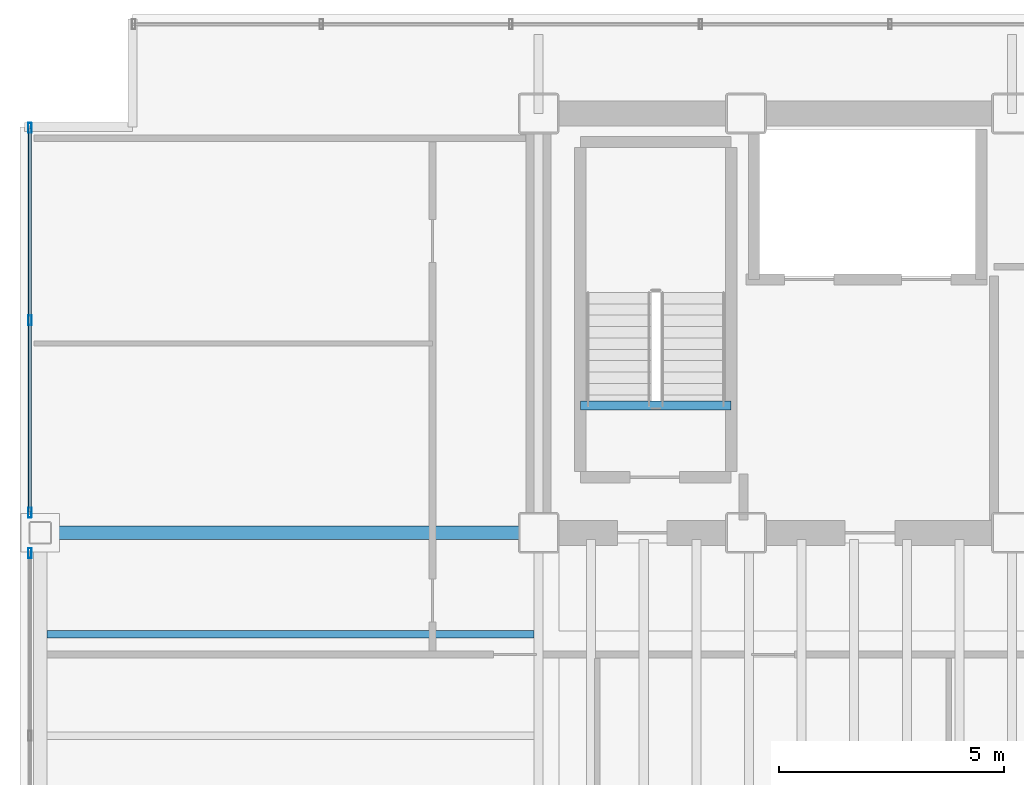
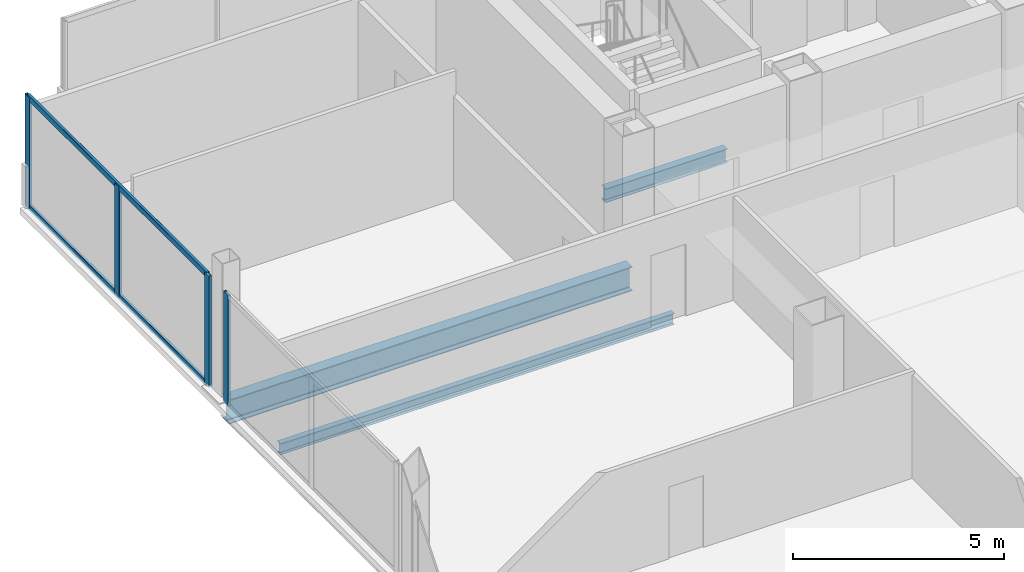
# One storey, part 7 of 20: 6 members, 3 beams, 2 elements without a shape of their own.
"""IFC4 building model written with IfcOpenShell, lengths in metres."""

import ifcopenshell
import ifcopenshell.guid

model = None  # the IFC model being written
_history = None  # IfcOwnerHistory: only IFC2X3 demands one
_inside = {}  # id of a spatial element -> (the spatial element, [elements in it])
_under = {}  # id of a project, library or spatial element -> (it, [spatial elements below it])
_declared = {}  # id of a project -> (the project, [libraries it declares])
_typed = {}  # id of a type object -> (the type object, [elements of that type])
_made_of = {}  # id of a material, layer set ... -> (it, [elements and type objects made of it])


def new_model(schema):
    """Start an empty IFC model of exactly this schema.

    Asked for "IFC4X3", IfcOpenShell would pick the latest addendum, in which some entities
    have other attributes; the version numbers below select the first issue.
    IFC2X3 requires an IfcOwnerHistory on every rooted entity: one is made here for all.
    """
    global model, _history
    if schema == "IFC4X3":
        model = ifcopenshell.file(schema_version=(4, 3, 0, 0))
    else:
        model = ifcopenshell.file(schema=schema)
    _inside.clear()
    _under.clear()
    _declared.clear()
    _typed.clear()
    _made_of.clear()
    _history = None
    if model.schema == "IFC2X3":
        org = make("IfcOrganization", Name="unknown")
        user = make(
            "IfcPersonAndOrganization",
            ThePerson=make("IfcPerson", FamilyName="unknown"),
            TheOrganization=org,
        )
        app = make(
            "IfcApplication",
            ApplicationDeveloper=org,
            Version="unknown",
            ApplicationFullName="unknown",
            ApplicationIdentifier="unknown",
        )
        _history = make(
            "IfcOwnerHistory",
            OwningUser=user,
            OwningApplication=app,
            ChangeAction="ADDED",
            CreationDate=0,
        )
    return model


def make(cls, **values):
    """One entity of the class cls with the attributes given. An attribute that is None is left unset."""
    return model.create_entity(
        cls, **{name: value for name, value in values.items() if value is not None}
    )


def rooted(cls, **values):
    """An entity with a GlobalId (a new one), such as an element, a storey or a relation."""
    return make(cls, GlobalId=ifcopenshell.guid.new(), OwnerHistory=_history, **values)


def si_unit(unit_type, name, prefix=None):
    """IfcSIUnit, for example si_unit("LENGTHUNIT", "METRE", prefix="MILLI")."""
    return make("IfcSIUnit", UnitType=unit_type, Prefix=prefix, Name=name)


def assignment(units):
    """IfcUnitAssignment: the units of a project."""
    return None if units is None else make("IfcUnitAssignment", Units=units)


def point(xyz):
    """IfcCartesianPoint."""
    return None if xyz is None else make("IfcCartesianPoint", Coordinates=xyz)


def direction(xyz):
    """IfcDirection."""
    return None if xyz is None else make("IfcDirection", DirectionRatios=xyz)


def frame(location, z_axis=None, x_axis=None):
    """IfcAxis2Placement3D, a coordinate frame: its origin and axes. An axis left out is left unset."""
    return make(
        "IfcAxis2Placement3D",
        Location=point(location),
        Axis=direction(z_axis),
        RefDirection=direction(x_axis),
    )


def frame_2d(location, x_axis=None):
    """IfcAxis2Placement2D, a coordinate frame in the plane: its origin and x axis."""
    return make(
        "IfcAxis2Placement2D", Location=point(location), RefDirection=direction(x_axis)
    )


def origin():
    """The frame at (0, 0, 0) with its axes left unset."""
    return frame((0.0, 0.0, 0.0))


def origin_2d():
    """The frame at (0, 0) in the plane with its x axis left unset."""
    return frame_2d((0.0, 0.0))


def place(relative_to, where):
    """IfcLocalPlacement: puts the frame where relative to a parent placement (None: the world)."""
    return make(
        "IfcLocalPlacement", PlacementRelTo=relative_to, RelativePlacement=where
    )


def context(
    kind, dimensions, precision=None, world=None, true_north=None, identifier=None
):
    """IfcGeometricRepresentationContext, for example the 3D "Model" context."""
    return make(
        "IfcGeometricRepresentationContext",
        ContextIdentifier=identifier,
        ContextType=kind,
        CoordinateSpaceDimension=dimensions,
        Precision=precision,
        WorldCoordinateSystem=world,
        TrueNorth=true_north,
    )


def subcontext(parent, identifier, kind, view, scale=None):
    """IfcGeometricRepresentationSubContext, for example "Body" below "Model"."""
    return make(
        "IfcGeometricRepresentationSubContext",
        ContextIdentifier=identifier,
        ContextType=kind,
        ParentContext=parent,
        TargetScale=scale,
        TargetView=view,
    )


def project(units=None, contexts=None):
    """IfcProject with its units and contexts."""
    return rooted(
        "IfcProject",
        Name="project",
        RepresentationContexts=contexts,
        UnitsInContext=assignment(units),
    )


def spatial(cls, under=None, at=None, **own):
    """A site, building, storey or space (cls), placed at a placement, below another one or the project."""
    s = rooted(cls, ObjectPlacement=at, **own)
    if under is not None:
        _under.setdefault(under.id(), (under, []))[1].append(s)
    return s


def profile(cls, at=None, kind="AREA", **sizes):
    """A parametric profile (cls). Its sizes go by their IFC names, for example OverallWidth=200.0."""
    return make(cls, ProfileType=kind, Position=at, **sizes)


def hollow_rectangle(**sizes):
    """IfcRectangleHollowProfileDef."""
    return profile("IfcRectangleHollowProfileDef", **sizes)


def i_section(**sizes):
    """IfcIShapeProfileDef."""
    return profile("IfcIShapeProfileDef", **sizes)


def extrude(swept, where, along, depth):
    """IfcExtrudedAreaSolid: the profile swept, set in the frame where, extruded along a direction by depth."""
    return make(
        "IfcExtrudedAreaSolid",
        SweptArea=swept,
        Position=where,
        ExtrudedDirection=direction(along),
        Depth=depth,
    )


def shape(context_of_items, identifier, shape_type, items):
    """IfcShapeRepresentation: the items that make up one representation, for example the "Body"."""
    return make(
        "IfcShapeRepresentation",
        ContextOfItems=context_of_items,
        RepresentationIdentifier=identifier,
        RepresentationType=shape_type,
        Items=items,
    )


def material(Name=None, Category=None):
    """IfcMaterial."""
    return make("IfcMaterial", Name=Name, Category=Category)


def material_profile(
    of_material, cross_section, Name=None, Category=None, Priority=None
):
    """IfcMaterialProfile: a cross section and its material."""
    return make(
        "IfcMaterialProfile",
        Name=Name,
        Material=of_material,
        Profile=cross_section,
        Priority=Priority,
        Category=Category,
    )


def profile_set(profiles, Name=None, composite=None):
    """IfcMaterialProfileSet."""
    return make(
        "IfcMaterialProfileSet",
        Name=Name,
        MaterialProfiles=profiles,
        CompositeProfile=composite,
    )


def made_of(thing, what):
    """Note that an element or type object is made of a material, layer set ...; save() writes the relation."""
    if what is not None:
        _made_of.setdefault(what.id(), (what, []))[1].append(thing)
    return thing


def type_object(cls, material=None, **own):
    """A type object (cls), such as IfcWallType, which elements share."""
    return made_of(rooted(cls, **own), material)


def element(
    cls,
    number,
    at=None,
    inside=None,
    cuts=None,
    type_object=None,
    material=None,
    context=None,
    identifier="Body",
    shape_type=None,
    held_by="IfcProductDefinitionShape",
    body=None,
    shapes=None,
    **own,
):
    """One element of the class cls, such as IfcWall. Its Tag is "e" and its number.

    at: its placement. inside: the storey or other place that contains it. cuts: it is an
    opening in that element (IfcRelVoidsElement). A single representation is given by context,
    identifier, shape_type and body (its items); several are given by shapes. held_by: the class
    of the entity that holds the representations. save() writes the other relations.
    """
    e = rooted(cls, Tag="e%d" % number, ObjectPlacement=at, **own)
    if body is not None:
        shapes = [shape(context, identifier, shape_type, body)]
    if shapes is not None:
        e.Representation = make(held_by, Representations=shapes)
    if inside is not None:
        _inside.setdefault(inside.id(), (inside, []))[1].append(e)
    if cuts is not None:
        rooted(
            "IfcRelVoidsElement", RelatingBuildingElement=cuts, RelatedOpeningElement=e
        )
    if type_object is not None:
        _typed.setdefault(type_object.id(), (type_object, []))[1].append(e)
    return made_of(e, material)


def aggregate(whole, parts):
    """IfcRelAggregates: a whole, such as a stair, and the parts it consists of."""
    return rooted("IfcRelAggregates", RelatingObject=whole, RelatedObjects=parts)


def save(model, path):
    """Write the relations noted so far, then the file.

    IfcRelAggregates (storeys below a building ...), IfcRelContainedInSpatialStructure (elements
    in a storey), IfcRelDefinesByType, IfcRelAssociatesMaterial and IfcRelDeclares: one each for
    every whole, place, type object, material and project.
    """
    for whole, parts in _under.values():
        aggregate(whole, parts)
    for where, things in _inside.values():
        rooted(
            "IfcRelContainedInSpatialStructure",
            RelatedElements=things,
            RelatingStructure=where,
        )
    for kind, things in _typed.values():
        rooted("IfcRelDefinesByType", RelatedObjects=things, RelatingType=kind)
    for what, things in _made_of.values():
        rooted("IfcRelAssociatesMaterial", RelatedObjects=things, RelatingMaterial=what)
    for by, libraries in _declared.values():
        rooted("IfcRelDeclares", RelatingContext=by, RelatedDefinitions=libraries)
    model.write(path)


model = new_model("IFC4")

# Units and contexts
model_context = context("Model", 3, precision=1e-05, world=origin(), true_north=direction((0.0, 1.0)))
body_context = subcontext(model_context, "Body", "Model", "MODEL_VIEW")
ifc_project = project(units=[si_unit("LENGTHUNIT", "METRE"), si_unit("AREAUNIT", "SQUARE_METRE"), si_unit("VOLUMEUNIT", "CUBIC_METRE"), si_unit("PLANEANGLEUNIT", "RADIAN"), si_unit("MASSUNIT", "GRAM", prefix="KILO")], contexts=[model_context])

# Site, building, storey
site_placement = place(None, origin())
site = spatial("IfcSite", under=ifc_project, at=site_placement, CompositionType="ELEMENT")
building_placement = place(site_placement, origin())
building = spatial("IfcBuilding", under=site, at=building_placement, Name="Noeulbin Bourse Tower", CompositionType="ELEMENT")
storey_placement = place(building_placement, frame((0.0, 0.0, 122.699951171875)))
storey = spatial("IfcBuildingStorey", under=building, at=storey_placement, Name="L30", CompositionType="ELEMENT", Elevation=122.699951171875)

# Beams
ifc_material_1 = material(Name="Steel S355", Category="steel")
ifc_material_profile_1 = material_profile(ifc_material_1, i_section(OverallWidth=0.300048828125, OverallDepth=0.699951171875, WebThickness=0.012939453125, FlangeThickness=0.02392578125, FilletRadius=0.02392578125, at=origin_2d()), Name="H-700x300x13x24", Category="LoadBearing")
ifc_profile_set_1 = profile_set([ifc_material_profile_1], Name="Steel S355")
beam_type_1 = type_object("IfcBeamType", Name="BM-GRD-700", PredefinedType="USERDEFINED", material=ifc_profile_set_1)
beam_1_placement = place(storey_placement, frame((2.449951171875, 29.0, -0.530029296875), z_axis=(1.0, 0.0, 0.0), x_axis=(0.0, 1.0, 0.0)))
element("IfcBeam", 1, at=beam_1_placement, inside=storey, type_object=beam_type_1, Name="Tower Primary Girder EW L30-2.1", ObjectType="GIRDER", PredefinedType="USERDEFINED", context=body_context, shape_type="SweptSolid", body=[
    extrude(i_section(OverallWidth=0.300048828125, OverallDepth=0.699951171875, WebThickness=0.012939453125, FlangeThickness=0.02392578125, FilletRadius=0.02392578125, at=origin_2d()), origin(), (0.0, 0.0, 1.0), 11.050048828125),
])
ifc_material_profile_2 = material_profile(ifc_material_1, i_section(OverallWidth=0.159912109375, OverallDepth=0.320068359375, WebThickness=0.006591796875, FlangeThickness=0.010009765625, FilletRadius=0.012939453125, at=origin_2d()), Name="H-320x160x6.5x10", Category="LoadBearing")
ifc_profile_set_2 = profile_set([ifc_material_profile_2], Name="Steel S355")
beam_type_2 = type_object("IfcBeamType", Name="BM-JST-320", PredefinedType="JOIST", material=ifc_profile_set_2)
beam_2_placement = place(storey_placement, frame((2.60009765625, 26.75, -0.33984375), z_axis=(1.0, 0.0, 0.0), x_axis=(0.0, 1.0, 0.0)))
element("IfcBeam", 2, at=beam_2_placement, inside=storey, type_object=beam_type_2, Name="Wing Composite Joist L30-W49", PredefinedType="JOIST", context=body_context, shape_type="SweptSolid", body=[
    extrude(i_section(OverallWidth=0.159912109375, OverallDepth=0.320068359375, WebThickness=0.006591796875, FlangeThickness=0.010009765625, FilletRadius=0.012939453125, at=origin_2d()), origin(), (0.0, 0.0, 1.0), 10.7998046875),
])
ifc_material_profile_3 = material_profile(ifc_material_1, i_section(OverallWidth=0.199951171875, OverallDepth=0.39990234375, WebThickness=0.008056640625, FlangeThickness=0.012939453125, FilletRadius=0.01611328125, at=origin_2d()), Name="H-400x200x8x13", Category="LoadBearing")
ifc_profile_set_3 = profile_set([ifc_material_profile_3], Name="Steel S355")
beam_type_3 = type_object("IfcBeamType", Name="BM-SEC-400", PredefinedType="BEAM", material=ifc_profile_set_3)
beam_3_placement = place(storey_placement, frame((14.429931640625, 31.820068359375, -0.199951171875), z_axis=(1.0, 0.0, 0.0), x_axis=(0.0, 1.0, 0.0)))
element("IfcBeam", 3, at=beam_3_placement, inside=storey, type_object=beam_type_3, Name="Stair Threshold Trimmer Beam ST1-L30", PredefinedType="BEAM", context=body_context, shape_type="SweptSolid", body=[
    extrude(i_section(OverallWidth=0.199951171875, OverallDepth=0.39990234375, WebThickness=0.008056640625, FlangeThickness=0.012939453125, FilletRadius=0.01611328125, at=origin_2d()), origin(), (0.0, 0.0, 1.0), 3.340087890625),
])

# Curtain wall, member
ifc_material_2 = material(Name="Dark Tinted Triple Glazing", Category="glass")
curtain_wall_type = type_object("IfcCurtainWallType", Name="CW-SYS-3", PredefinedType="NOTDEFINED", material=ifc_material_2)
curtain_wall_1_placement = place(storey_placement, origin())
curtain_wall_1 = element("IfcCurtainWall", 4, at=curtain_wall_1_placement, inside=storey, type_object=curtain_wall_type, Name="Unitised Curtain Wall CW-L30-W-S2", PredefinedType="NOTDEFINED")
ifc_material_3 = material(Name="Anodised Aluminium 6063-T6", Category="aluminium")
ifc_material_profile_4 = material_profile(ifc_material_3, hollow_rectangle(XDim=0.074951171875, YDim=0.219970703125, WallThickness=0.0048828125, InnerFilletRadius=0.00244140625, OuterFilletRadius=0.0048828125, at=origin_2d()), Name="ALU-MULL-75x220x5", Category="LoadBearing")
ifc_profile_set_4 = profile_set([ifc_material_profile_4], Name="Anodised Aluminium 6063-T6")
member_type_1 = type_object("IfcMemberType", Name="CW-SYS-3-MUL", PredefinedType="MULLION", material=ifc_profile_set_4)
member_1_placement = place(storey_placement, frame((2.219970703125, 28.550048828125, -0.02001953125), z_axis=(0.0, 0.0, 1.0), x_axis=(1.0, 0.0, 0.0)))
member_1 = element("IfcMember", 5, at=member_1_placement, type_object=member_type_1, Name="Curtain Wall Mullion CW-L30-W-S2-M02", PredefinedType="MULLION", context=body_context, shape_type="SweptSolid", body=[
    extrude(hollow_rectangle(XDim=0.074951171875, YDim=0.219970703125, WallThickness=0.0048828125, InnerFilletRadius=0.00244140625, OuterFilletRadius=0.0048828125, at=origin_2d()), origin(), (0.0, 0.0, 1.0), 3.219970703125),
])
aggregate(curtain_wall_1, [member_1])

# Curtain wall, members
curtain_wall_2_placement = place(storey_placement, origin())
curtain_wall_2 = element("IfcCurtainWall", 6, at=curtain_wall_2_placement, inside=storey, type_object=curtain_wall_type, Name="Unitised Curtain Wall CW-L30-W-S3", PredefinedType="NOTDEFINED")
member_2_placement = place(storey_placement, frame((2.219970703125, 29.449951171875, -0.02001953125), z_axis=(0.0, 0.0, 1.0), x_axis=(1.0, 0.0, 0.0)))
member_2 = element("IfcMember", 7, at=member_2_placement, type_object=member_type_1, Name="Curtain Wall Mullion CW-L30-W-S3-M00", PredefinedType="MULLION", context=body_context, shape_type="SweptSolid", body=[
    extrude(hollow_rectangle(XDim=0.074951171875, YDim=0.219970703125, WallThickness=0.0048828125, InnerFilletRadius=0.00244140625, OuterFilletRadius=0.0048828125, at=origin_2d()), origin(), (0.0, 0.0, 1.0), 3.219970703125),
])
member_3_placement = place(storey_placement, frame((2.219970703125, 33.715087890625, -0.02001953125), z_axis=(0.0, 0.0, 1.0), x_axis=(1.0, 0.0, 0.0)))
member_3 = element("IfcMember", 8, at=member_3_placement, type_object=member_type_1, Name="Curtain Wall Mullion CW-L30-W-S3-M01", PredefinedType="MULLION", context=body_context, shape_type="SweptSolid", body=[
    extrude(hollow_rectangle(XDim=0.074951171875, YDim=0.219970703125, WallThickness=0.0048828125, InnerFilletRadius=0.00244140625, OuterFilletRadius=0.0048828125, at=origin_2d()), origin(), (0.0, 0.0, 1.0), 3.219970703125),
])
member_4_placement = place(storey_placement, frame((2.219970703125, 37.97998046875, -0.02001953125), z_axis=(0.0, 0.0, 1.0), x_axis=(1.0, 0.0, 0.0)))
member_4 = element("IfcMember", 9, at=member_4_placement, type_object=member_type_1, Name="Curtain Wall Mullion CW-L30-W-S3-M02", PredefinedType="MULLION", context=body_context, shape_type="SweptSolid", body=[
    extrude(hollow_rectangle(XDim=0.074951171875, YDim=0.219970703125, WallThickness=0.0048828125, InnerFilletRadius=0.00244140625, OuterFilletRadius=0.0048828125, at=origin_2d()), origin(), (0.0, 0.0, 1.0), 3.219970703125),
])
ifc_material_profile_5 = material_profile(ifc_material_3, hollow_rectangle(XDim=0.074951171875, YDim=0.159912109375, WallThickness=0.0048828125, InnerFilletRadius=0.00244140625, OuterFilletRadius=0.0048828125, at=origin_2d()), Name="ALU-TRAN-75x160x5", Category="LoadBearing")
ifc_profile_set_5 = profile_set([ifc_material_profile_5], Name="Anodised Aluminium 6063-T6")
member_type_2 = type_object("IfcMemberType", Name="CW-SYS-3-TRN", PredefinedType="USERDEFINED", material=ifc_profile_set_5)
member_5_placement = place(storey_placement, frame((2.219970703125, 29.4599609375, 0.010009765625), z_axis=(0.0, 1.0, 0.0), x_axis=(-1.0, 0.0, 0.0)))
member_5 = element("IfcMember", 10, at=member_5_placement, type_object=member_type_2, Name="Curtain Wall Transom CW-L30-W-S3-T00", ObjectType="TRANSOM", PredefinedType="USERDEFINED", context=body_context, shape_type="SweptSolid", body=[
    extrude(hollow_rectangle(XDim=0.074951171875, YDim=0.159912109375, WallThickness=0.0048828125, InnerFilletRadius=0.00244140625, OuterFilletRadius=0.0048828125, at=origin_2d()), origin(), (0.0, 0.0, 1.0), 8.510009765625),
])
member_6_placement = place(storey_placement, frame((2.219970703125, 29.4599609375, 3.170166015625), z_axis=(0.0, 1.0, 0.0), x_axis=(-1.0, 0.0, 0.0)))
member_6 = element("IfcMember", 11, at=member_6_placement, type_object=member_type_2, Name="Curtain Wall Transom CW-L30-W-S3-T01", ObjectType="TRANSOM", PredefinedType="USERDEFINED", context=body_context, shape_type="SweptSolid", body=[
    extrude(hollow_rectangle(XDim=0.074951171875, YDim=0.159912109375, WallThickness=0.0048828125, InnerFilletRadius=0.00244140625, OuterFilletRadius=0.0048828125, at=origin_2d()), origin(), (0.0, 0.0, 1.0), 8.510009765625),
])
aggregate(curtain_wall_2, [member_2, member_3, member_4, member_5, member_6])

save(model, "model.ifc")
